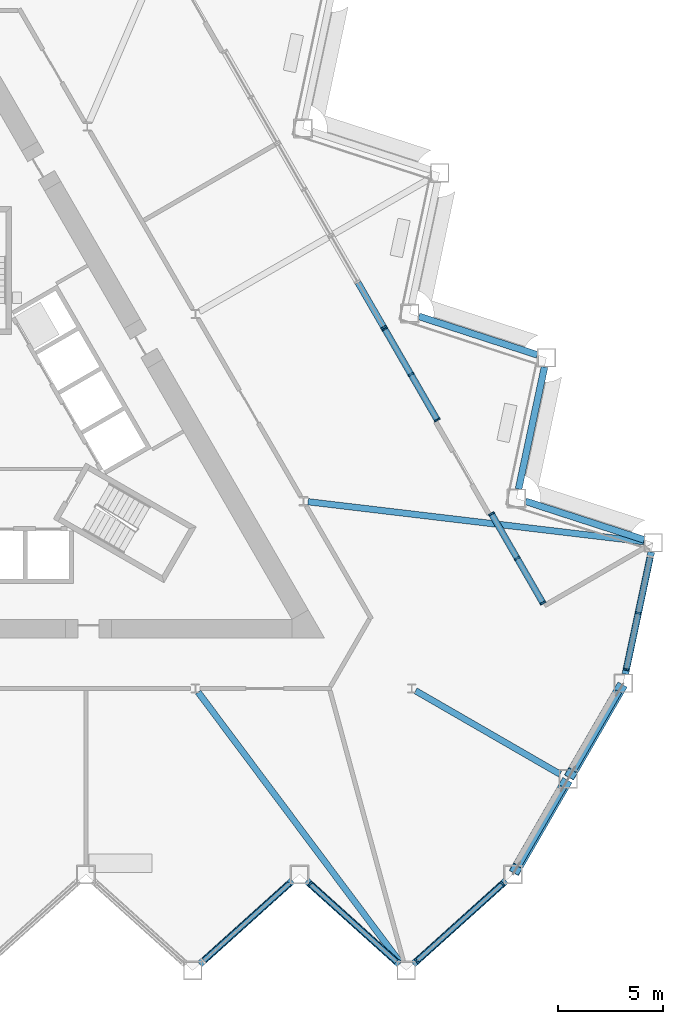
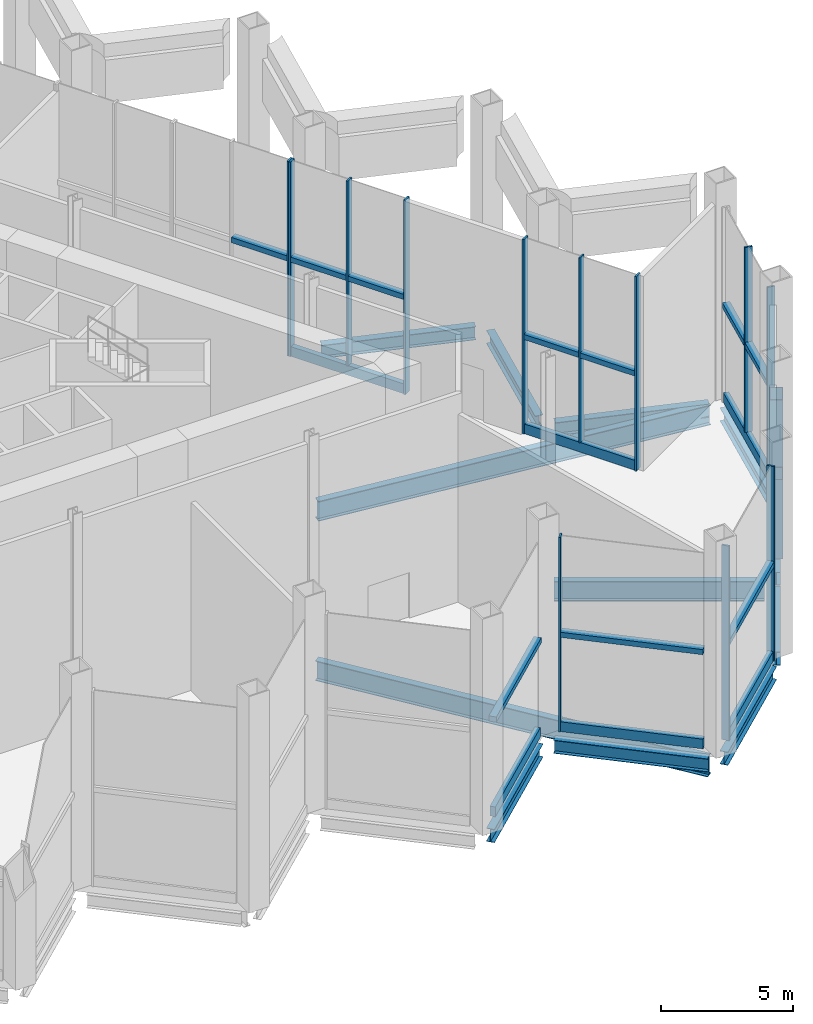
# One storey, part 4 of 18: 30 members, 12 beams, 5 elements without a shape of their own.
"""IFC4 building model written with IfcOpenShell, lengths in metres."""

from ifc_helpers import new_model, si_unit, direction, frame, origin, origin_2d, place, context, subcontext, project, spatial, rectangle, hollow_rectangle, i_section, extrude, material, layer, layer_set, material_profile, profile_set, type_object, element, aggregate, save


model = new_model("IFC4")

# Units and contexts
model_context = context("Model", 3, precision=1e-05, world=origin(), true_north=direction((0.0, 1.0)))
body_context = subcontext(model_context, "Body", "Model", "MODEL_VIEW")
ifc_project = project(units=[si_unit("LENGTHUNIT", "METRE"), si_unit("AREAUNIT", "SQUARE_METRE"), si_unit("VOLUMEUNIT", "CUBIC_METRE"), si_unit("PLANEANGLEUNIT", "RADIAN"), si_unit("MASSUNIT", "GRAM", prefix="KILO")], contexts=[model_context])

# Site, building, storey
site_placement = place(None, origin())
site = spatial("IfcSite", under=ifc_project, at=site_placement, CompositionType="ELEMENT")
building_placement = place(site_placement, origin())
building = spatial("IfcBuilding", under=site, at=building_placement, Name="Cormorant Prow Tower", CompositionType="ELEMENT")
storey_placement = place(building_placement, frame((0.0, 0.0, 154.199951171875)))
storey = spatial("IfcBuildingStorey", under=building, at=storey_placement, Name="L33", CompositionType="ELEMENT", Elevation=154.199951171875)

# Members
ifc_material_1 = material(Name="Structural steel ASTM A500 Gr C", Category="steel")
ifc_material_profile_1 = material_profile(ifc_material_1, hollow_rectangle(XDim=0.508056640625, YDim=0.508056640625, WallThickness=0.014892578125, at=origin_2d()), Name="HSS20x20x5/8")
ifc_profile_set_1 = profile_set([ifc_material_profile_1], Name="Structural steel ASTM A500 Gr C")
member_type_1 = type_object("IfcMemberType", Name="Chamfer brace HSS20x20x5/8", PredefinedType="BRACE", material=ifc_profile_set_1)
for number, where, z_axis, x_axis, name in (
    (1, (27.994384765625, -16.486083984375, 1.01416015625), (-0.280161761905, -0.485286419808, 0.828255080224), (0.86603968637, -0.499975261021, 0.0), "Chamfer brace BR1 at ESE00 L33"),
    (2, (30.629150390625, -11.92236328125, 1.01416015625), (-0.280161761905, -0.485286419808, 0.828255080224), (0.86603968637, -0.499975261021, 0.0), "Chamfer brace BR1 at ESE01 L33"),
):
    element("IfcMember", number, at=place(storey_placement, frame(where, z_axis=z_axis, x_axis=x_axis)), inside=storey, type_object=member_type_1, Name=name, PredefinedType="BRACE", context=body_context, shape_type="SweptSolid", body=[
        extrude(hollow_rectangle(XDim=0.508056640625, YDim=0.508056640625, WallThickness=0.014892578125, at=origin_2d()), origin(), (0.0, 0.0, 1.0), 8.404052734375),
    ])

# Beams
ifc_material_2 = material(Name="Structural steel ASTM A992 Gr 50", Category="steel")
ifc_material_profile_2 = material_profile(ifc_material_2, i_section(OverallWidth=0.3046875, OverallDepth=0.914794921875, WebThickness=0.0166015625, FlangeThickness=0.02587890625, at=origin_2d()), Name="W36x160")
ifc_profile_set_2 = profile_set([ifc_material_profile_2], Name="Structural steel ASTM A992 Gr 50")
beam_type_1 = type_object("IfcBeamType", Name="Radial floor beam W36x160", PredefinedType="BEAM", material=ifc_profile_set_2)
beam_1_placement = place(storey_placement, frame((10.458740234375, -12.100341796875, -0.857421875), z_axis=(0.598722444929, -0.800956574315, 0.0), x_axis=(0.800956574315, 0.598722444929, 0.0)))
element("IfcBeam", 3, at=beam_1_placement, inside=storey, type_object=beam_type_1, Name="Radial floor beam FB1 8 L33", PredefinedType="BEAM", context=body_context, shape_type="SweptSolid", body=[
    extrude(i_section(OverallWidth=0.3046875, OverallDepth=0.914794921875, WebThickness=0.0166015625, FlangeThickness=0.02587890625, at=origin_2d()), origin(), (0.0, 0.0, 1.0), 16.15380859375),
])
beam_2_placement = place(storey_placement, frame((20.84521484375, -12.034912109375, -0.857421875), z_axis=(0.866018715534, -0.50001158421, 0.0), x_axis=(0.50001158421, 0.866018715534, 0.0)))
element("IfcBeam", 4, at=beam_2_placement, inside=storey, type_object=beam_type_1, Name="Radial floor beam FB1 9 L33", PredefinedType="BEAM", context=body_context, shape_type="SweptSolid", body=[
    extrude(i_section(OverallWidth=0.3046875, OverallDepth=0.914794921875, WebThickness=0.0166015625, FlangeThickness=0.02587890625, at=origin_2d()), origin(), (0.0, 0.0, 1.0), 7.967041015625),
])
beam_3_placement = place(storey_placement, frame((15.70849609375, -3.00732421875, -0.857421875), z_axis=(0.993009167646, -0.118037252474, 0.0), x_axis=(0.118037252474, 0.993009167646, 0.0)))
element("IfcBeam", 5, at=beam_3_placement, inside=storey, type_object=beam_type_1, Name="Radial floor beam FB1 10 L33", PredefinedType="BEAM", context=body_context, shape_type="SweptSolid", body=[
    extrude(i_section(OverallWidth=0.3046875, OverallDepth=0.914794921875, WebThickness=0.0166015625, FlangeThickness=0.02587890625, at=origin_2d()), origin(), (0.0, 0.0, 1.0), 16.15380859375),
])

# Curtain wall, members
ifc_material_3 = material(Name="Aluminium 6063-T6", Category="aluminium")
ifc_layer = layer(ifc_material_3, 0.300048828125)
ifc_layer_set = layer_set([ifc_layer], Name="Aluminium 6063-T6")
curtain_wall_type = type_object("IfcCurtainWallType", Name="Sky lobby unitised curtain wall 300", PredefinedType="NOTDEFINED", material=ifc_layer_set)
curtain_wall_1_placement = place(storey_placement, origin())
curtain_wall_1 = element("IfcCurtainWall", 6, at=curtain_wall_1_placement, inside=storey, type_object=curtain_wall_type, Name="Sky lobby curtain wall S00-S09", PredefinedType="NOTDEFINED")
ifc_material_4 = material(Name="Aluminium 6063-T6", Category="aluminium")
ifc_material_profile_3 = material_profile(ifc_material_4, rectangle(XDim=0.300048828125, YDim=0.239990234375, at=origin_2d()), Name="Sky lobby intermediate transom 300x240")
ifc_profile_set_3 = profile_set([ifc_material_profile_3], Name="Aluminium 6063-T6")
member_type_2 = type_object("IfcMemberType", Name="Sky lobby intermediate transom 300x240", PredefinedType="USERDEFINED", material=ifc_profile_set_3)
member_1_placement = place(storey_placement, frame((10.73193359375, -24.919921875, 4.494384765625), z_axis=(0.743153140623, 0.669121371338, 0.0), x_axis=(-0.669121371338, 0.743153140623, 0.0)))
member_1 = element("IfcMember", 7, at=member_1_placement, type_object=member_type_2, Name="Sky lobby intermediate transom S00-S09", ObjectType="TRANSOM", PredefinedType="USERDEFINED", context=body_context, shape_type="SweptSolid", body=[
    extrude(rectangle(XDim=0.300048828125, YDim=0.239990234375, at=origin_2d()), origin(), (0.0, 0.0, 1.0), 5.510498046875),
])
member_2_placement = place(storey_placement, frame((15.831787109375, -21.2861328125, 4.494384765625), z_axis=(0.743131110346, -0.669145838242, 0.0), x_axis=(0.669145838242, 0.743131110346, 0.0)))
member_2 = element("IfcMember", 8, at=member_2_placement, type_object=member_type_2, Name="Sky lobby intermediate transom S00-S09", ObjectType="TRANSOM", PredefinedType="USERDEFINED", context=body_context, shape_type="SweptSolid", body=[
    extrude(rectangle(XDim=0.300048828125, YDim=0.239990234375, at=origin_2d()), origin(), (0.0, 0.0, 1.0), 5.5107421875),
])
member_3_placement = place(storey_placement, frame((20.931884765625, -24.919921875, 4.494384765625), z_axis=(0.743137646076, 0.669138579806, 0.0), x_axis=(-0.669138579806, 0.743137646076, 0.0)))
member_3 = element("IfcMember", 9, at=member_3_placement, type_object=member_type_2, Name="Sky lobby intermediate transom S00-S09", ObjectType="TRANSOM", PredefinedType="USERDEFINED", context=body_context, shape_type="SweptSolid", body=[
    extrude(rectangle(XDim=0.300048828125, YDim=0.239990234375, at=origin_2d()), origin(), (0.0, 0.0, 1.0), 5.4306640625),
])

curtain_wall_2_placement = place(storey_placement, origin())
curtain_wall_2 = element("IfcCurtainWall", 10, at=curtain_wall_2_placement, inside=storey, type_object=curtain_wall_type, Name="Sky lobby curtain wall ENE00", PredefinedType="NOTDEFINED")
member_4_placement = place(storey_placement, frame((30.918212890625, -10.9794921875, 4.494384765625), z_axis=(0.207877309506, 0.978154908076, 0.0), x_axis=(-0.978154908076, 0.207877309506, 0.0)))
member_4 = element("IfcMember", 11, at=member_4_placement, type_object=member_type_2, Name="Sky lobby intermediate transom ENE00", ObjectType="TRANSOM", PredefinedType="USERDEFINED", context=body_context, shape_type="SweptSolid", body=[
    extrude(rectangle(XDim=0.300048828125, YDim=0.239990234375, at=origin_2d()), origin(), (0.0, 0.0, 1.0), 2.67529296875),
])
member_5_placement = place(storey_placement, frame((31.490966796875, -8.284423828125, 4.494384765625), z_axis=(0.207964617958, 0.978136349226, 0.0), x_axis=(-0.978136349226, 0.207964617958, 0.0)))
member_5 = element("IfcMember", 12, at=member_5_placement, type_object=member_type_2, Name="Sky lobby intermediate transom ENE00", ObjectType="TRANSOM", PredefinedType="USERDEFINED", context=body_context, shape_type="SweptSolid", body=[
    extrude(rectangle(XDim=0.300048828125, YDim=0.239990234375, at=origin_2d()), origin(), (0.0, 0.0, 1.0), 2.675537109375),
])

curtain_wall_3_placement = place(storey_placement, origin())
curtain_wall_3 = element("IfcCurtainWall", 13, at=curtain_wall_3_placement, inside=storey, type_object=curtain_wall_type, Name="Sky lobby curtain wall loggia ENE01", PredefinedType="NOTDEFINED")
member_6_placement = place(storey_placement, frame((26.905029296875, -7.802490234375, 4.494384765625), z_axis=(-0.500030943131, 0.866007538022, 0.0), x_axis=(-0.866007538022, -0.500030943131, 0.0)))
member_6 = element("IfcMember", 14, at=member_6_placement, type_object=member_type_2, Name="Sky lobby intermediate transom loggia ENE01", ObjectType="TRANSOM", PredefinedType="USERDEFINED", context=body_context, shape_type="SweptSolid", body=[
    extrude(rectangle(XDim=0.300048828125, YDim=0.239990234375, at=origin_2d()), origin(), (0.0, 0.0, 1.0), 2.374755859375),
])
member_7_placement = place(storey_placement, frame((25.677490234375, -5.676513671875, 4.494384765625), z_axis=(-0.499986429846, 0.866033238375, 0.0), x_axis=(-0.866033238375, -0.499986429846, 0.0)))
member_7 = element("IfcMember", 15, at=member_7_placement, type_object=member_type_2, Name="Sky lobby intermediate transom loggia ENE01", ObjectType="TRANSOM", PredefinedType="USERDEFINED", context=body_context, shape_type="SweptSolid", body=[
    extrude(rectangle(XDim=0.300048828125, YDim=0.239990234375, at=origin_2d()), origin(), (0.0, 0.0, 1.0), 2.375),
])

curtain_wall_4_placement = place(storey_placement, origin())
curtain_wall_4 = element("IfcCurtainWall", 16, at=curtain_wall_4_placement, inside=storey, type_object=curtain_wall_type, Name="Sky lobby curtain wall loggia ENE03", PredefinedType="NOTDEFINED")
member_8_placement = place(storey_placement, frame((21.860107421875, 0.935546875, 4.494384765625), z_axis=(-0.500061642096, 0.865989811779, 0.0), x_axis=(-0.865989811779, -0.500061642096, 0.0)))
member_8 = element("IfcMember", 17, at=member_8_placement, type_object=member_type_2, Name="Sky lobby intermediate transom loggia ENE03", ObjectType="TRANSOM", PredefinedType="USERDEFINED", context=body_context, shape_type="SweptSolid", body=[
    extrude(rectangle(XDim=0.300048828125, YDim=0.239990234375, at=origin_2d()), origin(), (0.0, 0.0, 1.0), 2.429931640625),
])
member_9_placement = place(storey_placement, frame((20.60498046875, 3.109130859375, 4.494384765625), z_axis=(-0.499942781752, 0.866058436235, 0.0), x_axis=(-0.866058436235, -0.499942781752, 0.0)))
member_9 = element("IfcMember", 18, at=member_9_placement, type_object=member_type_2, Name="Sky lobby intermediate transom loggia ENE03", ObjectType="TRANSOM", PredefinedType="USERDEFINED", context=body_context, shape_type="SweptSolid", body=[
    extrude(rectangle(XDim=0.300048828125, YDim=0.239990234375, at=origin_2d()), origin(), (0.0, 0.0, 1.0), 2.429931640625),
])

# Curtain wall, member
curtain_wall_5_placement = place(storey_placement, origin())
curtain_wall_5 = element("IfcCurtainWall", 19, at=curtain_wall_5_placement, inside=storey, type_object=curtain_wall_type, Name="Sky lobby curtain wall loggia ENE04", PredefinedType="NOTDEFINED")
member_10_placement = place(storey_placement, frame((19.31005859375, 5.352294921875, 4.494384765625), z_axis=(-0.499986286727, 0.866033321001, 0.0), x_axis=(-0.866033321001, -0.499986286727, 0.0)))
member_10 = element("IfcMember", 20, at=member_10_placement, type_object=member_type_2, Name="Sky lobby intermediate transom loggia ENE04", ObjectType="TRANSOM", PredefinedType="USERDEFINED", context=body_context, shape_type="SweptSolid", body=[
    extrude(rectangle(XDim=0.300048828125, YDim=0.239990234375, at=origin_2d()), origin(), (0.0, 0.0, 1.0), 2.4296875),
])

# Member
ifc_material_5 = material(Name="Aluminium 6063-T6", Category="aluminium")
ifc_material_profile_4 = material_profile(ifc_material_5, rectangle(XDim=0.300048828125, YDim=0.080078125, at=origin_2d()), Name="Sky lobby mullion 80x300")
ifc_profile_set_4 = profile_set([ifc_material_profile_4], Name="Aluminium 6063-T6")
member_type_3 = type_object("IfcMemberType", Name="Sky lobby mullion 80x300", PredefinedType="MULLION", material=ifc_profile_set_4)
member_11_placement = place(storey_placement, frame((15.80224609375, -21.259521484375, 0.0), z_axis=(0.0, 0.0, 1.0), x_axis=(0.66913062239, 0.743144811043, 0.0)))
member_11 = element("IfcMember", 21, at=member_11_placement, type_object=member_type_3, Name="Sky lobby mullion S00-S09", PredefinedType="MULLION", context=body_context, shape_type="SweptSolid", body=[
    extrude(rectangle(XDim=0.300048828125, YDim=0.080078125, at=origin_2d()), origin(), (0.0, 0.0, 1.0), 8.989013671875),
])

member_12_placement = place(storey_placement, frame((20.902099609375, -24.94677734375, 0.0), z_axis=(0.0, 0.0, 1.0), x_axis=(-0.66913062239, 0.743144811043, 0.0)))
member_12 = element("IfcMember", 22, at=member_12_placement, type_object=member_type_3, Name="Sky lobby mullion S00-S09", PredefinedType="MULLION", context=body_context, shape_type="SweptSolid", body=[
    extrude(rectangle(XDim=0.300048828125, YDim=0.080078125, at=origin_2d()), origin(), (0.0, 0.0, 1.0), 8.989013671875),
])

member_13_placement = place(storey_placement, frame((24.997314453125, -21.259521484375, 0.0), z_axis=(0.0, 0.0, 1.0), x_axis=(-0.66913062239, 0.743144811043, 0.0)))
member_13 = element("IfcMember", 23, at=member_13_placement, type_object=member_type_3, Name="Sky lobby mullion S00-S09", PredefinedType="MULLION", context=body_context, shape_type="SweptSolid", body=[
    extrude(rectangle(XDim=0.300048828125, YDim=0.080078125, at=origin_2d()), origin(), (0.0, 0.0, 1.0), 8.989013671875),
])

member_14_placement = place(storey_placement, frame((30.909912109375, -11.0185546875, 0.0), z_axis=(0.0, 0.0, 1.0), x_axis=(-0.978147599779, 0.207911695308, 0.0)))
member_14 = element("IfcMember", 24, at=member_14_placement, type_object=member_type_3, Name="Sky lobby mullion ENE00", PredefinedType="MULLION", context=body_context, shape_type="SweptSolid", body=[
    extrude(rectangle(XDim=0.300048828125, YDim=0.080078125, at=origin_2d()), origin(), (0.0, 0.0, 1.0), 8.989013671875),
])

member_15_placement = place(storey_placement, frame((31.482666015625, -8.323486328125, 0.449951171875), z_axis=(0.0, 0.0, 1.0), x_axis=(-0.978147599779, 0.207911695308, 0.0)))
member_15 = element("IfcMember", 25, at=member_15_placement, type_object=member_type_3, Name="Sky lobby mullion ENE00", PredefinedType="MULLION", context=body_context, shape_type="SweptSolid", body=[
    extrude(rectangle(XDim=0.300048828125, YDim=0.080078125, at=origin_2d()), origin(), (0.0, 0.0, 1.0), 8.5390625),
])

member_16_placement = place(storey_placement, frame((26.925048828125, -7.837158203125, 0.0), z_axis=(0.0, 0.0, 1.0), x_axis=(-0.866025410364, -0.499999988603, 0.0)))
member_16 = element("IfcMember", 26, at=member_16_placement, type_object=member_type_3, Name="Sky lobby mullion loggia ENE01", PredefinedType="MULLION", context=body_context, shape_type="SweptSolid", body=[
    extrude(rectangle(XDim=0.300048828125, YDim=0.080078125, at=origin_2d()), origin(), (0.0, 0.0, 1.0), 8.989013671875),
])

member_17_placement = place(storey_placement, frame((25.697509765625, -5.711181640625, 0.449951171875), z_axis=(0.0, 0.0, 1.0), x_axis=(-0.866025410364, -0.499999988603, 0.0)))
member_17 = element("IfcMember", 27, at=member_17_placement, type_object=member_type_3, Name="Sky lobby mullion loggia ENE01", PredefinedType="MULLION", context=body_context, shape_type="SweptSolid", body=[
    extrude(rectangle(XDim=0.300048828125, YDim=0.080078125, at=origin_2d()), origin(), (0.0, 0.0, 1.0), 8.5390625),
])

member_18_placement = place(storey_placement, frame((24.469970703125, -3.585205078125, 0.0), z_axis=(0.0, 0.0, 1.0), x_axis=(-0.866025410364, -0.499999988603, 0.0)))
member_18 = element("IfcMember", 28, at=member_18_placement, type_object=member_type_3, Name="Sky lobby mullion loggia ENE01", PredefinedType="MULLION", context=body_context, shape_type="SweptSolid", body=[
    extrude(rectangle(XDim=0.300048828125, YDim=0.080078125, at=origin_2d()), origin(), (0.0, 0.0, 1.0), 8.989013671875),
])

member_19_placement = place(storey_placement, frame((21.880126953125, 0.90087890625, 0.0), z_axis=(0.0, 0.0, 1.0), x_axis=(-0.866025410364, -0.499999988603, 0.0)))
member_19 = element("IfcMember", 29, at=member_19_placement, type_object=member_type_3, Name="Sky lobby mullion loggia ENE03", PredefinedType="MULLION", context=body_context, shape_type="SweptSolid", body=[
    extrude(rectangle(XDim=0.300048828125, YDim=0.080078125, at=origin_2d()), origin(), (0.0, 0.0, 1.0), 8.989013671875),
])

member_20_placement = place(storey_placement, frame((20.625, 3.074462890625, 0.449951171875), z_axis=(0.0, 0.0, 1.0), x_axis=(-0.866025410364, -0.499999988603, 0.0)))
member_20 = element("IfcMember", 30, at=member_20_placement, type_object=member_type_3, Name="Sky lobby mullion loggia ENE03", PredefinedType="MULLION", context=body_context, shape_type="SweptSolid", body=[
    extrude(rectangle(XDim=0.300048828125, YDim=0.080078125, at=origin_2d()), origin(), (0.0, 0.0, 1.0), 8.5390625),
])

member_21_placement = place(storey_placement, frame((19.3701171875, 5.248291015625, 0.0), z_axis=(0.0, 0.0, 1.0), x_axis=(-0.866025410364, -0.499999988603, 0.0)))
member_21 = element("IfcMember", 31, at=member_21_placement, type_object=member_type_3, Name="Sky lobby mullion loggia ENE03", PredefinedType="MULLION", context=body_context, shape_type="SweptSolid", body=[
    extrude(rectangle(XDim=0.300048828125, YDim=0.080078125, at=origin_2d()), origin(), (0.0, 0.0, 1.0), 8.989013671875),
])

member_22_placement = place(storey_placement, frame((19.330078125, 5.317626953125, 0.0), z_axis=(0.0, 0.0, 1.0), x_axis=(-0.866025410364, -0.499999988603, 0.0)))
member_22 = element("IfcMember", 32, at=member_22_placement, type_object=member_type_3, Name="Sky lobby mullion loggia ENE04", PredefinedType="MULLION", context=body_context, shape_type="SweptSolid", body=[
    extrude(rectangle(XDim=0.300048828125, YDim=0.080078125, at=origin_2d()), origin(), (0.0, 0.0, 1.0), 8.989013671875),
])

aggregate(curtain_wall_5, [member_22, member_10])

ifc_material_6 = material(Name="Terracotta", Category="masonry")
ifc_material_profile_5 = material_profile(ifc_material_6, rectangle(XDim=0.219970703125, YDim=0.449951171875, at=origin_2d()), Name="Sky lobby terracotta spandrel rail 220x450")
ifc_profile_set_5 = profile_set([ifc_material_profile_5], Name="Terracotta")
member_type_4 = type_object("IfcMemberType", Name="Sky lobby terracotta spandrel rail 220x450", PredefinedType="USERDEFINED", material=ifc_profile_set_5)
member_23_placement = place(storey_placement, frame((10.73193359375, -24.919921875, 0.22509765625), z_axis=(0.743153140623, 0.669121371338, 0.0), x_axis=(-0.669121371338, 0.743153140623, 0.0)))
member_23 = element("IfcMember", 33, at=member_23_placement, type_object=member_type_4, Name="Sky lobby spandrel rail S00-S09", ObjectType="TRANSOM", PredefinedType="USERDEFINED", context=body_context, shape_type="SweptSolid", body=[
    extrude(rectangle(XDim=0.219970703125, YDim=0.449951171875, at=origin_2d()), origin(), (0.0, 0.0, 1.0), 5.510498046875),
])

member_24_placement = place(storey_placement, frame((15.831787109375, -21.2861328125, 0.22509765625), z_axis=(0.743131110346, -0.669145838242, 0.0), x_axis=(0.669145838242, 0.743131110346, 0.0)))
member_24 = element("IfcMember", 34, at=member_24_placement, type_object=member_type_4, Name="Sky lobby spandrel rail S00-S09", ObjectType="TRANSOM", PredefinedType="USERDEFINED", context=body_context, shape_type="SweptSolid", body=[
    extrude(rectangle(XDim=0.219970703125, YDim=0.449951171875, at=origin_2d()), origin(), (0.0, 0.0, 1.0), 5.5107421875),
])

member_25_placement = place(storey_placement, frame((20.931884765625, -24.919921875, 0.22509765625), z_axis=(0.743137646076, 0.669138579806, 0.0), x_axis=(-0.669138579806, 0.743137646076, 0.0)))
member_25 = element("IfcMember", 35, at=member_25_placement, type_object=member_type_4, Name="Sky lobby spandrel rail S00-S09", ObjectType="TRANSOM", PredefinedType="USERDEFINED", context=body_context, shape_type="SweptSolid", body=[
    extrude(rectangle(XDim=0.219970703125, YDim=0.449951171875, at=origin_2d()), origin(), (0.0, 0.0, 1.0), 5.4306640625),
])

aggregate(curtain_wall_1, [member_23, member_1, member_11, member_24, member_2, member_12, member_13, member_25, member_3])

member_26_placement = place(storey_placement, frame((30.918212890625, -10.9794921875, 0.22509765625), z_axis=(0.207920049456, 0.978145824013, 0.0), x_axis=(-0.978145824013, 0.207920049456, 0.0)))
member_26 = element("IfcMember", 36, at=member_26_placement, type_object=member_type_4, Name="Sky lobby spandrel rail ENE00", ObjectType="TRANSOM", PredefinedType="USERDEFINED", context=body_context, shape_type="SweptSolid", body=[
    extrude(rectangle(XDim=0.219970703125, YDim=0.449951171875, at=origin_2d()), origin(), (0.0, 0.0, 1.0), 5.4306640625),
])

aggregate(curtain_wall_2, [member_14, member_15, member_26, member_4, member_5])

member_27_placement = place(storey_placement, frame((26.905029296875, -7.802490234375, 0.22509765625), z_axis=(-0.500009774648, 0.866019760315, 0.0), x_axis=(-0.866019760315, -0.500009774648, 0.0)))
member_27 = element("IfcMember", 37, at=member_27_placement, type_object=member_type_4, Name="Sky lobby spandrel rail loggia ENE01", ObjectType="TRANSOM", PredefinedType="USERDEFINED", context=body_context, shape_type="SweptSolid", body=[
    extrude(rectangle(XDim=0.219970703125, YDim=0.449951171875, at=origin_2d()), origin(), (0.0, 0.0, 1.0), 4.830078125),
])

aggregate(curtain_wall_3, [member_16, member_17, member_18, member_27, member_6, member_7])

member_28_placement = place(storey_placement, frame((21.860107421875, 0.935546875, 0.22509765625), z_axis=(-0.500003381691, 0.866023451356, 0.0), x_axis=(-0.866023451356, -0.500003381691, 0.0)))
member_28 = element("IfcMember", 38, at=member_28_placement, type_object=member_type_4, Name="Sky lobby spandrel rail loggia ENE03", ObjectType="TRANSOM", PredefinedType="USERDEFINED", context=body_context, shape_type="SweptSolid", body=[
    extrude(rectangle(XDim=0.219970703125, YDim=0.449951171875, at=origin_2d()), origin(), (0.0, 0.0, 1.0), 4.93994140625),
])

aggregate(curtain_wall_4, [member_19, member_20, member_21, member_28, member_8, member_9])

# Beams
ifc_material_7 = material(Name="Structural steel ASTM A992 Gr 50", Category="steel")
ifc_material_profile_6 = material_profile(ifc_material_7, i_section(OverallWidth=0.32373046875, OverallDepth=0.611083984375, WebThickness=0.0126953125, FlangeThickness=0.01904296875, at=origin_2d()), Name="W24x104")
ifc_profile_set_6 = profile_set([ifc_material_profile_6], Name="Structural steel ASTM A992 Gr 50")
beam_type_2 = type_object("IfcBeamType", Name="Spandrel beam W24x104", PredefinedType="SPANDREL", material=ifc_profile_set_6)
for number, where, z_axis, x_axis, name in (
    (39, (10.5341796875, -25.09814453125, -0.70556640625), (0.743131253571, 0.66914567918, 0.0), (-0.66914567918, 0.743131253571, 0.0), "Spandrel beam SB1 S07-S08 L33"),
    (40, (15.63427734375, -21.108154296875, -0.70556640625), (0.743131253571, -0.66914567918, 0.0), (0.66914567918, 0.743131253571, 0.0), "Spandrel beam SB1 S08-S09 L33"),
    (41, (20.734130859375, -25.09814453125, -0.70556640625), (0.743131253571, 0.66914567918, 0.0), (-0.66914567918, 0.743131253571, 0.0), "Spandrel beam SB1 S09-ESE00 L33"),
):
    element("IfcBeam", number, at=place(storey_placement, frame(where, z_axis=z_axis, x_axis=x_axis)), inside=storey, type_object=beam_type_2, Name=name, PredefinedType="SPANDREL", context=body_context, shape_type="SweptSolid", body=[
        extrude(i_section(OverallWidth=0.32373046875, OverallDepth=0.611083984375, WebThickness=0.0126953125, FlangeThickness=0.01904296875, at=origin_2d()), origin(), (0.0, 0.0, 1.0), 5.962890625),
    ])
for number, where, z_axis, x_axis, name in (
    (42, (25.724609375, -20.41748046875, -0.70556640625), (0.500002967982, 0.866023690213, 0.0), (-0.866023690213, 0.500002967982, 0.0), "Spandrel beam SB1 ESE00-ESE01 L33"),
    (43, (28.359619140625, -15.853759765625, -0.70556640625), (0.500002967982, 0.866023690213, 0.0), (-0.866023690213, 0.500002967982, 0.0), "Spandrel beam SB1 ESE01-ENE00 L33"),
):
    element("IfcBeam", number, at=place(storey_placement, frame(where, z_axis=z_axis, x_axis=x_axis)), inside=storey, type_object=beam_type_2, Name=name, PredefinedType="SPANDREL", context=body_context, shape_type="SweptSolid", body=[
        extrude(i_section(OverallWidth=0.32373046875, OverallDepth=0.611083984375, WebThickness=0.0126953125, FlangeThickness=0.01904296875, at=origin_2d()), origin(), (0.0, 0.0, 1.0), 4.36962890625),
    ])
beam_4_placement = place(storey_placement, frame((30.86279296875, -11.23974609375, -0.70556640625), z_axis=(0.207912620873, 0.978147403044, 0.0), x_axis=(-0.978147403044, 0.207912620873, 0.0)))
element("IfcBeam", 44, at=beam_4_placement, inside=storey, type_object=beam_type_2, Name="Spandrel beam SB1 ENE00-ENE01 L33", PredefinedType="SPANDREL", context=body_context, shape_type="SweptSolid", body=[
    extrude(i_section(OverallWidth=0.32373046875, OverallDepth=0.611083984375, WebThickness=0.0126953125, FlangeThickness=0.01904296875, at=origin_2d()), origin(), (0.0, 0.0, 1.0), 5.962890625),
])
for number, where, z_axis, x_axis, name in (
    (45, (31.768310546875, -4.828125, -0.70556640625), (-0.951059340519, 0.309008302174, 0.0), (-0.309008302174, -0.951059340519, 0.0), "Spandrel beam SB1 ENE01-ENE02 L33"),
    (46, (25.762939453125, -2.40625, -0.70556640625), (0.207920947907, 0.978145633033, 0.0), (-0.978145633033, 0.207920947907, 0.0), "Spandrel beam SB1 ENE02-ENE03 L33"),
):
    element("IfcBeam", number, at=place(storey_placement, frame(where, z_axis=z_axis, x_axis=x_axis)), inside=storey, type_object=beam_type_2, Name=name, PredefinedType="SPANDREL", context=body_context, shape_type="SweptSolid", body=[
        extrude(i_section(OverallWidth=0.32373046875, OverallDepth=0.611083984375, WebThickness=0.0126953125, FlangeThickness=0.01904296875, at=origin_2d()), origin(), (0.0, 0.0, 1.0), 5.962646484375),
    ])
beam_5_placement = place(storey_placement, frame((26.668212890625, 4.00537109375, -0.70556640625), z_axis=(-0.951055430656, 0.309020335608, 0.0), x_axis=(-0.309020335608, -0.951055430656, 0.0)))
element("IfcBeam", 47, at=beam_5_placement, inside=storey, type_object=beam_type_2, Name="Spandrel beam SB1 ENE03-ENE04 L33", PredefinedType="SPANDREL", context=body_context, shape_type="SweptSolid", body=[
    extrude(i_section(OverallWidth=0.32373046875, OverallDepth=0.611083984375, WebThickness=0.0126953125, FlangeThickness=0.01904296875, at=origin_2d()), origin(), (0.0, 0.0, 1.0), 5.96240234375),
])

save(model, "model.ifc")
